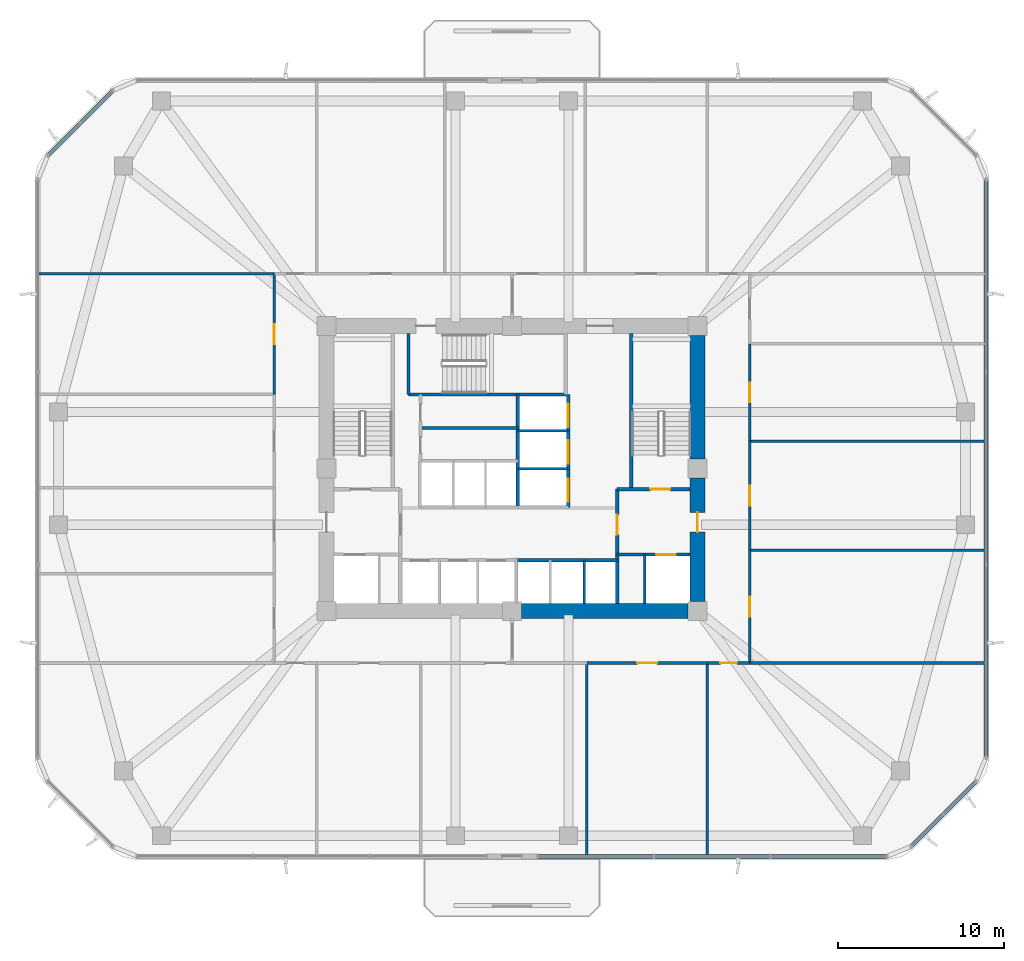
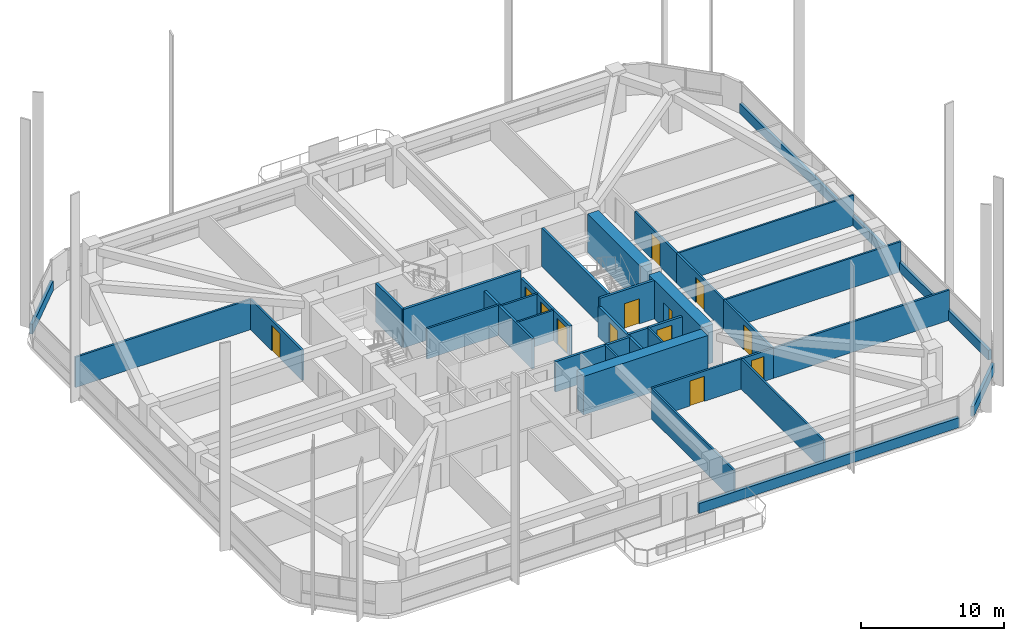
# One storey, part 10 of 17: 33 walls, 13 doors, 13 openings.
"""IFC4 building model written with IfcOpenShell, lengths in metres."""

from ifc_helpers import new_model, si_unit, derived_unit, direction, frame, frame_2d, origin, place, context, subcontext, project, spatial, rectangle, extrude, material, layer, layer_set, type_object, element, fill, save


model = new_model("IFC4")

# Units and contexts
model_context = context("Model", 3, precision=1e-05, world=origin(), true_north=direction((0.0, 1.0)))
body_context = subcontext(model_context, "Body", "Model", "MODEL_VIEW")
ifc_project = project(units=[si_unit("LENGTHUNIT", "METRE"), si_unit("AREAUNIT", "SQUARE_METRE"), si_unit("VOLUMEUNIT", "CUBIC_METRE"), si_unit("PLANEANGLEUNIT", "RADIAN"), si_unit("MASSUNIT", "GRAM", prefix="KILO"), derived_unit("THERMALTRANSMITTANCEUNIT", [(si_unit("POWERUNIT", "WATT"), 1), (si_unit("LENGTHUNIT", "METRE"), -2), (si_unit("THERMODYNAMICTEMPERATUREUNIT", "KELVIN"), -1)])], contexts=[model_context])

# Site, building, storey
site_placement = place(None, origin())
site = spatial("IfcSite", under=ifc_project, at=site_placement, CompositionType="ELEMENT")
building_placement = place(site_placement, origin())
building = spatial("IfcBuilding", under=site, at=building_placement, Name="Koralith Skygarden Medical Center", CompositionType="ELEMENT")
storey_placement = place(building_placement, frame((0.0, 0.0, 67.139892578125)))
storey = spatial("IfcBuildingStorey", under=building, at=storey_placement, Name="L17", CompositionType="ELEMENT", Elevation=67.139892578125)

# Walls
ifc_material_1 = material(Name="Gypsum Board Partition")
ifc_layer_1 = layer(ifc_material_1, 0.14990234375)
ifc_layer_set_1 = layer_set([ifc_layer_1], Name="Gypsum Board Partition")
wall_type_1 = type_object("IfcWallType", Name="Clinical Acoustic Partition 150", PredefinedType="PARTITIONING", material=ifc_layer_set_1)
for number, where, z_axis, x_axis, name in (
    (1, (41.527099609375, 14.14990234375, 0.0), (0.0, 0.0, 1.0), (0.0, -1.0, 0.0), "L17 Clinical Acoustic Partition 150 W-PART-L17-S-03"),
    (2, (48.800048828125, 14.14990234375, 0.0), (0.0, 0.0, 1.0), (0.0, -1.0, 0.0), "L17 Clinical Acoustic Partition 150 W-PART-L17-S-04"),
):
    element("IfcWall", number, at=place(storey_placement, frame(where, z_axis=z_axis, x_axis=x_axis)), inside=storey, type_object=wall_type_1, Name=name, PredefinedType="PARTITIONING", context=body_context, shape_type="SweptSolid", body=[
        extrude(rectangle(XDim=11.64990234375, YDim=0.14990234375, at=frame_2d((5.824951171875, 0.0))), origin(), (0.0, 0.0, 1.0), 2.590087890625),
    ])
for number, where, z_axis, x_axis, name in (
    (3, (51.35009765625, 20.965087890625, 0.0), (0.0, 0.0, 1.0), (1.0, 0.0, 0.0), "L17 Clinical Acoustic Partition 150 W-PART-L17-E-01"),
    (4, (51.35009765625, 27.544921875, 0.0), (0.0, 0.0, 1.0), (1.0, 0.0, 0.0), "L17 Clinical Acoustic Partition 150 W-PART-L17-E-02"),
):
    element("IfcWall", number, at=place(storey_placement, frame(where, z_axis=z_axis, x_axis=x_axis)), inside=storey, type_object=wall_type_1, Name=name, PredefinedType="PARTITIONING", context=body_context, shape_type="SweptSolid", body=[
        extrude(rectangle(XDim=14.25, YDim=0.14990234375, at=frame_2d((7.125, 0.0))), origin(), (0.0, 0.0, 1.0), 2.590087890625),
    ])
ifc_layer_2 = layer(ifc_material_1, 0.1650390625)
ifc_layer_set_2 = layer_set([ifc_layer_2], Name="Gypsum Board Partition")
wall_type_2 = type_object("IfcWallType", Name="Clinical Corridor Partition 165", PredefinedType="PARTITIONING", material=ifc_layer_set_2)
for number, where, z_axis, x_axis, name in (
    (5, (8.39990234375, 37.64990234375, 0.0), (0.0, 0.0, 1.0), (1.0, 0.0, 0.0), "L17 Clinical Corridor Partition 165 W-WB-L17-NW"),
    (6, (51.35009765625, 14.14990234375, 0.0), (0.0, 0.0, 1.0), (1.0, 0.0, 0.0), "L17 Clinical Corridor Partition 165 W-WB-L17-SE"),
):
    element("IfcWall", number, at=place(storey_placement, frame(where, z_axis=z_axis, x_axis=x_axis)), inside=storey, type_object=wall_type_2, Name=name, PredefinedType="PARTITIONING", context=body_context, shape_type="SweptSolid", body=[
        extrude(rectangle(XDim=14.25, YDim=0.1650390625, at=frame_2d((7.125, 0.0))), origin(), (0.0, 0.0, 1.0), 2.590087890625),
    ])

# Wall, opening, door
wall_1_placement = place(storey_placement, frame((41.527099609375, 14.14990234375, 0.0), z_axis=(0.0, 0.0, 1.0), x_axis=(1.0, 0.0, 0.0)))
wall_1 = element("IfcWall", 7, at=wall_1_placement, inside=storey, type_object=wall_type_2, Name="L17 Clinical Corridor Partition 165 W-CORR-L17-S-04", PredefinedType="PARTITIONING", context=body_context, shape_type="SweptSolid", body=[
    extrude(rectangle(XDim=7.27294921875, YDim=0.1650390625, at=frame_2d((3.636474609375, 0.0))), origin(), (0.0, 0.0, 1.0), 2.590087890625),
])
opening_1_placement = place(wall_1_placement, frame((3.035888671875, 0.0, 0.0)))
opening_1 = element("IfcOpeningElement", 8, at=opening_1_placement, cuts=wall_1, Name="Opening D-CLN", PredefinedType="OPENING", context=body_context, shape_type="SweptSolid", body=[
    extrude(rectangle(XDim=1.199951171875, YDim=2.14990234375, at=frame_2d((0.60009765625, 1.074951171875))), frame((0.0, 0.092529296875, 0.0), z_axis=(0.0, -1.0, 0.0), x_axis=(1.0, 0.0, 0.0)), (0.0, 0.0, 1.0), 0.18505859375),
])
ifc_material_2 = material(Name="Aluminium 6063-T6", Category="aluminium")
door_type_1 = type_object("IfcDoorType", Name="Clinical Corridor Door D-CLN 1200", OperationType="NOTDEFINED", PredefinedType="DOOR", material=ifc_material_2)
door_1_placement = place(opening_1_placement, frame((1.199951171875, 0.0, 0.0), z_axis=(0.0, 0.0, 1.0), x_axis=(-1.0, 0.0, 0.0)))
door_1 = element("IfcDoor", 9, at=door_1_placement, inside=storey, type_object=door_type_1, Name="L17 Neuropsychology Testing Office 09 Door", OperationType="SINGLE_SWING_RIGHT", OverallHeight=2.14990234375, OverallWidth=1.199951171875, PredefinedType="DOOR", context=body_context, shape_type="SweptSolid", body=[
    extrude(rectangle(XDim=1.199951171875, YDim=2.14990234375, at=frame_2d((0.60009765625, 1.074951171875))), frame((0.0, 0.02490234375, 0.0), z_axis=(0.0, -1.0, 0.0), x_axis=(1.0, 0.0, 0.0)), (0.0, 0.0, 1.0), 0.050048828125),
])
fill(opening_1, door_1)

wall_2_placement = place(storey_placement, frame((48.800048828125, 14.14990234375, 0.0), z_axis=(0.0, 0.0, 1.0), x_axis=(1.0, 0.0, 0.0)))
wall_2 = element("IfcWall", 10, at=wall_2_placement, inside=storey, type_object=wall_type_2, Name="L17 Clinical Corridor Partition 165 W-CORR-L17-S-05", PredefinedType="PARTITIONING", context=body_context, shape_type="SweptSolid", body=[
    extrude(rectangle(XDim=2.550048828125, YDim=0.1650390625, at=frame_2d((1.27490234375, 0.0))), origin(), (0.0, 0.0, 1.0), 2.590087890625),
])
opening_2_placement = place(wall_2_placement, frame((0.77490234375, 0.0, 0.0)))
opening_2 = element("IfcOpeningElement", 11, at=opening_2_placement, cuts=wall_2, Name="Opening D-SUP", PredefinedType="OPENING", context=body_context, shape_type="SweptSolid", body=[
    extrude(rectangle(XDim=1.0, YDim=2.14990234375, at=frame_2d((0.5, 1.074951171875))), frame((0.0, 0.092529296875, 0.0), z_axis=(0.0, -1.0, 0.0), x_axis=(1.0, 0.0, 0.0)), (0.0, 0.0, 1.0), 0.18505859375),
])
door_type_2 = type_object("IfcDoorType", Name="Clinical Support Door D-SUP 1000", OperationType="NOTDEFINED", PredefinedType="DOOR", material=ifc_material_2)
door_2_placement = place(opening_2_placement, frame((1.0, 0.0, 0.0), z_axis=(0.0, 0.0, 1.0), x_axis=(-1.0, 0.0, 0.0)))
door_2 = element("IfcDoor", 12, at=door_2_placement, inside=storey, type_object=door_type_2, Name="L17 Medical Device Alcove Store 10 Door", OperationType="SINGLE_SWING_LEFT", OverallHeight=2.14990234375, OverallWidth=1.0, PredefinedType="DOOR", context=body_context, shape_type="SweptSolid", body=[
    extrude(rectangle(XDim=1.0, YDim=2.14990234375, at=frame_2d((0.5, 1.074951171875))), frame((0.0, 0.02490234375, 0.0), z_axis=(0.0, -1.0, 0.0), x_axis=(1.0, 0.0, 0.0)), (0.0, 0.0, 1.0), 0.050048828125),
])
fill(opening_2, door_2)

wall_3_placement = place(storey_placement, frame((22.64990234375, 30.364990234375, 0.0), z_axis=(0.0, 0.0, 1.0), x_axis=(0.0, 1.0, 0.0)))
wall_3 = element("IfcWall", 13, at=wall_3_placement, inside=storey, type_object=wall_type_2, Name="L17 Clinical Corridor Partition 165 W-CORR-L17-W-04", PredefinedType="PARTITIONING", context=body_context, shape_type="SweptSolid", body=[
    extrude(rectangle(XDim=7.284912109375, YDim=0.1650390625, at=frame_2d((3.642578125, 0.0))), origin(), (0.0, 0.0, 1.0), 2.590087890625),
])
opening_3_placement = place(wall_3_placement, frame((3.0419921875, 0.0, 0.0)))
opening_3 = element("IfcOpeningElement", 14, at=opening_3_placement, cuts=wall_3, Name="Opening D-CLN", PredefinedType="OPENING", context=body_context, shape_type="SweptSolid", body=[
    extrude(rectangle(XDim=1.199951171875, YDim=2.14990234375, at=frame_2d((0.60009765625, 1.074951171875))), frame((0.0, 0.092529296875, 0.0), z_axis=(0.0, -1.0, 0.0), x_axis=(1.0, 0.0, 0.0)), (0.0, 0.0, 1.0), 0.18505859375),
])
door_3_placement = place(opening_3_placement, frame((1.199951171875, 0.0, 0.0), z_axis=(0.0, 0.0, 1.0), x_axis=(-1.0, 0.0, 0.0)))
door_3 = element("IfcDoor", 15, at=door_3_placement, inside=storey, type_object=door_type_1, Name="L17 Medical Device Alcove Store 14 Door", OperationType="SINGLE_SWING_LEFT", OverallHeight=2.14990234375, OverallWidth=1.199951171875, PredefinedType="DOOR", context=body_context, shape_type="SweptSolid", body=[
    extrude(rectangle(XDim=1.199951171875, YDim=2.14990234375, at=frame_2d((0.60009765625, 1.074951171875))), frame((0.0, 0.02490234375, 0.0), z_axis=(0.0, -1.0, 0.0), x_axis=(1.0, 0.0, 0.0)), (0.0, 0.0, 1.0), 0.050048828125),
])
fill(opening_3, door_3)

wall_4_placement = place(storey_placement, frame((51.35009765625, 14.14990234375, 0.0), z_axis=(0.0, 0.0, 1.0), x_axis=(0.0, 1.0, 0.0)))
wall_4 = element("IfcWall", 16, at=wall_4_placement, inside=storey, type_object=wall_type_2, Name="L17 Clinical Corridor Partition 165 W-CORR-L17-E-01", PredefinedType="PARTITIONING", context=body_context, shape_type="SweptSolid", body=[
    extrude(rectangle(XDim=6.815185546875, YDim=0.1650390625, at=frame_2d((3.40771484375, 0.0))), origin(), (0.0, 0.0, 1.0), 2.590087890625),
])
opening_4_placement = place(wall_4_placement, frame((2.806884765625, 0.0, 0.0)))
opening_4 = element("IfcOpeningElement", 17, at=opening_4_placement, cuts=wall_4, Name="Opening D-CLN", PredefinedType="OPENING", context=body_context, shape_type="SweptSolid", body=[
    extrude(rectangle(XDim=1.199951171875, YDim=2.14990234375, at=frame_2d((0.60009765625, 1.074951171875))), frame((0.0, 0.092529296875, 0.0), z_axis=(0.0, -1.0, 0.0), x_axis=(1.0, 0.0, 0.0)), (0.0, 0.0, 1.0), 0.18505859375),
])
door_4_placement = place(opening_4_placement, origin())
door_4 = element("IfcDoor", 18, at=door_4_placement, inside=storey, type_object=door_type_1, Name="L17 Neurology Consultation Office 15 Door", OperationType="SINGLE_SWING_RIGHT", OverallHeight=2.14990234375, OverallWidth=1.199951171875, PredefinedType="DOOR", context=body_context, shape_type="SweptSolid", body=[
    extrude(rectangle(XDim=1.199951171875, YDim=2.14990234375, at=frame_2d((0.60009765625, 1.074951171875))), frame((0.0, 0.02490234375, 0.0), z_axis=(0.0, -1.0, 0.0), x_axis=(1.0, 0.0, 0.0)), (0.0, 0.0, 1.0), 0.050048828125),
])
fill(opening_4, door_4)

wall_5_placement = place(storey_placement, frame((51.35009765625, 20.965087890625, 0.0), z_axis=(0.0, 0.0, 1.0), x_axis=(0.0, 1.0, 0.0)))
wall_5 = element("IfcWall", 19, at=wall_5_placement, inside=storey, type_object=wall_type_2, Name="L17 Clinical Corridor Partition 165 W-CORR-L17-E-02", PredefinedType="PARTITIONING", context=body_context, shape_type="SweptSolid", body=[
    extrude(rectangle(XDim=6.579833984375, YDim=0.1650390625, at=frame_2d((3.2900390625, 0.0))), origin(), (0.0, 0.0, 1.0), 2.590087890625),
])
opening_5_placement = place(wall_5_placement, frame((2.68994140625, 0.0, 0.0)))
opening_5 = element("IfcOpeningElement", 20, at=opening_5_placement, cuts=wall_5, Name="Opening D-CLN", PredefinedType="OPENING", context=body_context, shape_type="SweptSolid", body=[
    extrude(rectangle(XDim=1.199951171875, YDim=2.14990234375, at=frame_2d((0.60009765625, 1.074951171875))), frame((0.0, 0.092529296875, 0.0), z_axis=(0.0, -1.0, 0.0), x_axis=(1.0, 0.0, 0.0)), (0.0, 0.0, 1.0), 0.18505859375),
])
door_5_placement = place(opening_5_placement, origin())
door_5 = element("IfcDoor", 21, at=door_5_placement, inside=storey, type_object=door_type_1, Name="L17 Electromyography Reading Office 16 Door", OperationType="SINGLE_SWING_LEFT", OverallHeight=2.14990234375, OverallWidth=1.199951171875, PredefinedType="DOOR", context=body_context, shape_type="SweptSolid", body=[
    extrude(rectangle(XDim=1.199951171875, YDim=2.14990234375, at=frame_2d((0.60009765625, 1.074951171875))), frame((0.0, 0.02490234375, 0.0), z_axis=(0.0, -1.0, 0.0), x_axis=(1.0, 0.0, 0.0)), (0.0, 0.0, 1.0), 0.050048828125),
])
fill(opening_5, door_5)

wall_6_placement = place(storey_placement, frame((51.35009765625, 27.544921875, 0.0), z_axis=(0.0, 0.0, 1.0), x_axis=(0.0, 1.0, 0.0)))
wall_6 = element("IfcWall", 22, at=wall_6_placement, inside=storey, type_object=wall_type_2, Name="L17 Clinical Corridor Partition 165 W-CORR-L17-E-03", PredefinedType="PARTITIONING", context=body_context, shape_type="SweptSolid", body=[
    extrude(rectangle(XDim=5.875, YDim=0.1650390625, at=frame_2d((2.9375, 0.0))), origin(), (0.0, 0.0, 1.0), 2.590087890625),
])
opening_6_placement = place(wall_6_placement, frame((2.3369140625, 0.0, 0.0)))
opening_6 = element("IfcOpeningElement", 23, at=opening_6_placement, cuts=wall_6, Name="Opening D-CLN", PredefinedType="OPENING", context=body_context, shape_type="SweptSolid", body=[
    extrude(rectangle(XDim=1.199951171875, YDim=2.14990234375, at=frame_2d((0.60009765625, 1.074951171875))), frame((0.0, 0.092529296875, 0.0), z_axis=(0.0, -1.0, 0.0), x_axis=(1.0, 0.0, 0.0)), (0.0, 0.0, 1.0), 0.18505859375),
])
door_6_placement = place(opening_6_placement, origin())
door_6 = element("IfcDoor", 24, at=door_6_placement, inside=storey, type_object=door_type_1, Name="L17 Neuropsychology Testing Office 17 Door", OperationType="SINGLE_SWING_RIGHT", OverallHeight=2.14990234375, OverallWidth=1.199951171875, PredefinedType="DOOR", context=body_context, shape_type="SweptSolid", body=[
    extrude(rectangle(XDim=1.199951171875, YDim=2.14990234375, at=frame_2d((0.60009765625, 1.074951171875))), frame((0.0, 0.02490234375, 0.0), z_axis=(0.0, -1.0, 0.0), x_axis=(1.0, 0.0, 0.0)), (0.0, 0.0, 1.0), 0.050048828125),
])
fill(opening_6, door_6)

ifc_layer_3 = layer(ifc_material_1, 0.199951171875)
ifc_layer_set_3 = layer_set([ifc_layer_3], Name="Gypsum Board Partition")
wall_type_3 = type_object("IfcWallType", Name="Fire Shaft Wall 200", PredefinedType="SOLIDWALL", material=ifc_layer_set_3)
wall_7_placement = place(storey_placement, frame((43.35009765625, 20.699951171875, 0.0), z_axis=(0.0, 0.0, 1.0), x_axis=(1.0, 0.0, 0.0)))
wall_7 = element("IfcWall", 25, at=wall_7_placement, inside=storey, type_object=wall_type_3, Name="L17 Fire Shaft Wall 200 W-CORE-L17-FF2-N", PredefinedType="SOLIDWALL", context=body_context, shape_type="SweptSolid", body=[
    extrude(rectangle(XDim=4.39990234375, YDim=0.199951171875, at=frame_2d((2.199951171875, 0.0))), origin(), (0.0, 0.0, 1.0), 2.590087890625),
])
opening_7_placement = place(wall_7_placement, frame((2.35009765625, 0.0, 0.0)))
opening_7 = element("IfcOpeningElement", 26, at=opening_7_placement, cuts=wall_7, Name="Opening LD-FF", PredefinedType="OPENING", context=body_context, shape_type="SweptSolid", body=[
    extrude(rectangle(XDim=1.199951171875, YDim=2.14990234375, at=frame_2d((0.60009765625, 1.074951171875))), frame((0.0, 0.10986328125, 0.0), z_axis=(0.0, -1.0, 0.0), x_axis=(1.0, 0.0, 0.0)), (0.0, 0.0, 1.0), 0.219970703125),
])
ifc_material_3 = material(Name="Steel ASTM A500 Grade C", Category="steel")
door_type_3 = type_object("IfcDoorType", Name="Fire Lift Sliding Landing Door LD-FF 1200", OperationType="NOTDEFINED", PredefinedType="DOOR", material=ifc_material_3)
door_7_placement = place(opening_7_placement, origin())
door_7 = element("IfcDoor", 27, at=door_7_placement, inside=storey, type_object=door_type_3, Name="L17 Fire Service Elevator FF2 Landing Door", OperationType="SLIDING_TO_RIGHT", OverallHeight=2.14990234375, OverallWidth=1.199951171875, PredefinedType="DOOR", context=body_context, shape_type="SweptSolid", body=[
    extrude(rectangle(XDim=1.199951171875, YDim=2.14990234375, at=frame_2d((0.60009765625, 1.074951171875))), frame((0.0, 0.02490234375, 0.0), z_axis=(0.0, -1.0, 0.0), x_axis=(1.0, 0.0, 0.0)), (0.0, 0.0, 1.0), 0.050048828125),
])
fill(opening_7, door_7)

wall_8_placement = place(storey_placement, frame((43.35009765625, 17.75, 0.0), z_axis=(0.0, 0.0, 1.0), x_axis=(0.0, 1.0, 0.0)))
wall_8 = element("IfcWall", 28, at=wall_8_placement, inside=storey, type_object=wall_type_3, Name="L17 Fire Shaft Wall 200 W-CORE-L17-FSAEE-W", PredefinedType="SOLIDWALL", context=body_context, shape_type="SweptSolid", body=[
    extrude(rectangle(XDim=6.89990234375, YDim=0.199951171875, at=frame_2d((3.449951171875, 0.0))), origin(), (0.0, 0.0, 1.0), 2.590087890625),
])
opening_8_placement = place(wall_8_placement, frame((4.14990234375, 0.0, 0.0)))
opening_8 = element("IfcOpeningElement", 29, at=opening_8_placement, cuts=wall_8, Name="Opening D-ST60", PredefinedType="OPENING", context=body_context, shape_type="SweptSolid", body=[
    extrude(rectangle(XDim=1.199951171875, YDim=2.14990234375, at=frame_2d((0.60009765625, 1.074951171875))), frame((0.0, 0.10986328125, 0.0), z_axis=(0.0, -1.0, 0.0), x_axis=(1.0, 0.0, 0.0)), (0.0, 0.0, 1.0), 0.219970703125),
])
door_type_4 = type_object("IfcDoorType", Name="Smokeproof Stair Fire Door FD60S 1200", OperationType="NOTDEFINED", PredefinedType="DOOR", material=ifc_material_3)
door_8_placement = place(opening_8_placement, frame((1.199951171875, 0.0, 0.0), z_axis=(0.0, 0.0, 1.0), x_axis=(-1.0, 0.0, 0.0)))
door_8 = element("IfcDoor", 30, at=door_8_placement, inside=storey, type_object=door_type_4, Name="L17 East Firefighting Lobby Inner Fire Door", OperationType="SINGLE_SWING_RIGHT", OverallHeight=2.14990234375, OverallWidth=1.199951171875, PredefinedType="DOOR", context=body_context, shape_type="SweptSolid", body=[
    extrude(rectangle(XDim=1.199951171875, YDim=2.14990234375, at=frame_2d((0.60009765625, 1.074951171875))), frame((0.0, 0.02490234375, 0.0), z_axis=(0.0, -1.0, 0.0), x_axis=(1.0, 0.0, 0.0)), (0.0, 0.0, 1.0), 0.050048828125),
])
fill(opening_8, door_8)

# Walls
wall_9_placement = place(storey_placement, frame((37.25, 20.360107421875, 0.0), z_axis=(0.0, 0.0, 1.0), x_axis=(1.0, 0.0, 0.0)))
element("IfcWall", 31, at=wall_9_placement, inside=storey, type_object=wall_type_3, Name="L17 Fire Shaft Wall 200 W-CORE-L17-PM-N", PredefinedType="SOLIDWALL", context=body_context, shape_type="SweptSolid", body=[
    extrude(rectangle(XDim=6.10009765625, YDim=0.199951171875, at=frame_2d((3.050048828125, 0.0))), origin(), (0.0, 0.0, 1.0), 2.590087890625),
])
wall_10_placement = place(storey_placement, frame((37.35009765625, 23.5400390625, 0.0), z_axis=(0.0, 0.0, 1.0), x_axis=(0.0, 1.0, 0.0)))
element("IfcWall", 32, at=wall_10_placement, inside=storey, type_object=wall_type_3, Name="L17 Fire Shaft Wall 200 W-CORE-L17-SV-W", PredefinedType="SOLIDWALL", context=body_context, shape_type="SweptSolid", body=[
    extrude(rectangle(XDim=6.820068359375, YDim=0.199951171875, at=frame_2d((3.41015625, 0.0))), origin(), (0.0, 0.0, 1.0), 2.590087890625),
])

# Wall, openings, doors
wall_11_placement = place(storey_placement, frame((40.39990234375, 23.5400390625, 0.0), z_axis=(0.0, 0.0, 1.0), x_axis=(0.0, 1.0, 0.0)))
wall_11 = element("IfcWall", 33, at=wall_11_placement, inside=storey, type_object=wall_type_3, Name="L17 Fire Shaft Wall 200 W-CORE-L17-SV-E", PredefinedType="SOLIDWALL", context=body_context, shape_type="SweptSolid", body=[
    extrude(rectangle(XDim=6.820068359375, YDim=0.199951171875, at=frame_2d((3.41015625, 0.0))), origin(), (0.0, 0.0, 1.0), 2.590087890625),
])
opening_9_placement = place(wall_11_placement, frame((0.35009765625, 0.0, 0.0)))
opening_9 = element("IfcOpeningElement", 34, at=opening_9_placement, cuts=wall_11, Name="Opening LD-SV", PredefinedType="OPENING", context=body_context, shape_type="SweptSolid", body=[
    extrude(rectangle(XDim=1.39990234375, YDim=2.199951171875, at=frame_2d((0.699951171875, 1.10009765625))), frame((0.0, 0.10986328125, 0.0), z_axis=(0.0, -1.0, 0.0), x_axis=(1.0, 0.0, 0.0)), (0.0, 0.0, 1.0), 0.219970703125),
])
opening_10_placement = place(wall_11_placement, frame((2.64990234375, 0.0, 0.0)))
opening_10 = element("IfcOpeningElement", 35, at=opening_10_placement, cuts=wall_11, Name="Opening LD-SV", PredefinedType="OPENING", context=body_context, shape_type="SweptSolid", body=[
    extrude(rectangle(XDim=1.39990234375, YDim=2.199951171875, at=frame_2d((0.699951171875, 1.10009765625))), frame((0.0, 0.10986328125, 0.0), z_axis=(0.0, -1.0, 0.0), x_axis=(1.0, 0.0, 0.0)), (0.0, 0.0, 1.0), 0.219970703125),
])
opening_11_placement = place(wall_11_placement, frame((4.85009765625, 0.0, 0.0)))
opening_11 = element("IfcOpeningElement", 36, at=opening_11_placement, cuts=wall_11, Name="Opening LD-SV", PredefinedType="OPENING", context=body_context, shape_type="SweptSolid", body=[
    extrude(rectangle(XDim=1.39990234375, YDim=2.199951171875, at=frame_2d((0.699951171875, 1.10009765625))), frame((0.0, 0.10986328125, 0.0), z_axis=(0.0, -1.0, 0.0), x_axis=(1.0, 0.0, 0.0)), (0.0, 0.0, 1.0), 0.219970703125),
])
door_type_5 = type_object("IfcDoorType", Name="Bed Lift Sliding Landing Door LD-SV 1400", OperationType="NOTDEFINED", PredefinedType="DOOR", material=ifc_material_3)
door_9_placement = place(opening_9_placement, origin())
door_9 = element("IfcDoor", 37, at=door_9_placement, inside=storey, type_object=door_type_5, Name="L17 Bed Elevator BD1 Landing Door", OperationType="SLIDING_TO_LEFT", OverallHeight=2.199951171875, OverallWidth=1.39990234375, PredefinedType="DOOR", context=body_context, shape_type="SweptSolid", body=[
    extrude(rectangle(XDim=1.39990234375, YDim=2.199951171875, at=frame_2d((0.699951171875, 1.10009765625))), frame((0.0, 0.02490234375, 0.0), z_axis=(0.0, -1.0, 0.0), x_axis=(1.0, 0.0, 0.0)), (0.0, 0.0, 1.0), 0.050048828125),
])
fill(opening_9, door_9)
door_10_placement = place(opening_10_placement, origin())
door_10 = element("IfcDoor", 38, at=door_10_placement, inside=storey, type_object=door_type_5, Name="L17 Service Elevator BD2 Landing Door", OperationType="SLIDING_TO_LEFT", OverallHeight=2.199951171875, OverallWidth=1.39990234375, PredefinedType="DOOR", context=body_context, shape_type="SweptSolid", body=[
    extrude(rectangle(XDim=1.39990234375, YDim=2.199951171875, at=frame_2d((0.699951171875, 1.10009765625))), frame((0.0, 0.02490234375, 0.0), z_axis=(0.0, -1.0, 0.0), x_axis=(1.0, 0.0, 0.0)), (0.0, 0.0, 1.0), 0.050048828125),
])
fill(opening_10, door_10)
door_11_placement = place(opening_11_placement, origin())
door_11 = element("IfcDoor", 39, at=door_11_placement, inside=storey, type_object=door_type_5, Name="L17 Trauma Elevator TR1 Landing Door", OperationType="SLIDING_TO_RIGHT", OverallHeight=2.199951171875, OverallWidth=1.39990234375, PredefinedType="DOOR", context=body_context, shape_type="SweptSolid", body=[
    extrude(rectangle(XDim=1.39990234375, YDim=2.199951171875, at=frame_2d((0.699951171875, 1.10009765625))), frame((0.0, 0.02490234375, 0.0), z_axis=(0.0, -1.0, 0.0), x_axis=(1.0, 0.0, 0.0)), (0.0, 0.0, 1.0), 0.050048828125),
])
fill(opening_11, door_11)

# Walls
ifc_material_4 = material(Name="Warm Oolitic Limestone Cladding", Category="masonry")
ifc_layer_4 = layer(ifc_material_4, 0.239990234375)
ifc_layer_set_4 = layer_set([ifc_layer_4], Name="Warm Oolitic Limestone Cladding")
wall_type_4 = type_object("IfcWallType", Name="Limestone Spandrel Sill Backup Wall 240", PredefinedType="SOLIDWALL", material=ifc_layer_set_4)
wall_12_placement = place(storey_placement, frame((38.5400390625, 2.47998046875, 0.0), z_axis=(0.0, 0.0, 1.0), x_axis=(1.0, 0.0, 0.0)))
element("IfcWall", 40, at=wall_12_placement, inside=storey, type_object=wall_type_4, Name="L17 Sill Spandrel S-R", PredefinedType="SOLIDWALL", context=body_context, shape_type="SweptSolid", body=[
    extrude(rectangle(XDim=21.10498046875, YDim=0.239990234375, at=frame_2d((10.552490234375, 0.0))), origin(), (0.0, 0.0, 1.0), 0.85009765625),
])
wall_13_placement = place(storey_placement, frame((61.095947265625, 3.0810546875, 0.0), z_axis=(0.0, 0.0, 1.0), x_axis=(0.707128783731, 0.707084777957, 0.0)))
element("IfcWall", 41, at=wall_13_placement, inside=storey, type_object=wall_type_4, Name="L17 Sill Spandrel SE", PredefinedType="SOLIDWALL", context=body_context, shape_type="SweptSolid", body=[
    extrude(rectangle(XDim=5.5478515625, YDim=0.239990234375, at=frame_2d((2.77392578125, 0.0))), origin(), (0.0, 0.0, 1.0), 0.85009765625),
])
wall_14_placement = place(storey_placement, frame((65.6201171875, 8.455078125, 0.0), z_axis=(0.0, 0.0, 1.0), x_axis=(0.0, 1.0, 0.0)))
element("IfcWall", 42, at=wall_14_placement, inside=storey, type_object=wall_type_4, Name="L17 Sill Spandrel E", PredefinedType="SOLIDWALL", context=body_context, shape_type="SweptSolid", body=[
    extrude(rectangle(XDim=34.889892578125, YDim=0.239990234375, at=frame_2d((17.44482421875, 0.0))), origin(), (0.0, 0.0, 1.0), 0.85009765625),
])
wall_15_placement = place(storey_placement, frame((12.904052734375, 48.718994140625, 0.0), z_axis=(0.0, 0.0, 1.0), x_axis=(-0.707106781187, -0.707106781187, 0.0)))
element("IfcWall", 43, at=wall_15_placement, inside=storey, type_object=wall_type_4, Name="L17 Sill Spandrel NW", PredefinedType="SOLIDWALL", context=body_context, shape_type="SweptSolid", body=[
    extrude(rectangle(XDim=5.548095703125, YDim=0.239990234375, at=frame_2d((2.77392578125, 0.0))), origin(), (0.0, 0.0, 1.0), 0.85009765625),
])
ifc_material_5 = material(Name="Concrete C70/85", Category="concrete")
ifc_layer_5 = layer(ifc_material_5, 0.89990234375)
ifc_layer_set_5 = layer_set([ifc_layer_5], Name="Concrete C70/85")
wall_type_5 = type_object("IfcWallType", Name="Lower Core Shear Wall 900", PredefinedType="SHEAR", material=ifc_layer_set_5)
wall_16_placement = place(storey_placement, frame((37.56494140625, 17.300048828125, 0.0), z_axis=(0.0, 0.0, 1.0), x_axis=(1.0, 0.0, 0.0)))
element("IfcWall", 44, at=wall_16_placement, inside=storey, type_object=wall_type_5, Name="L17 Core Shear Wall Segment 2", PredefinedType="SHEAR", context=body_context, shape_type="SweptSolid", body=[
    extrude(rectangle(XDim=10.070068359375, YDim=0.89990234375, at=frame_2d((5.03515625, 0.0))), origin(), (0.0, 0.0, 1.0), 3.300048828125),
])

# Wall, opening, door
wall_17_placement = place(storey_placement, frame((48.199951171875, 17.864990234375, 0.0), z_axis=(0.0, 0.0, 1.0), x_axis=(0.0, 1.0, 0.0)))
wall_17 = element("IfcWall", 45, at=wall_17_placement, inside=storey, type_object=wall_type_5, Name="L17 Core Shear Wall Segment 3", PredefinedType="SHEAR", context=body_context, shape_type="SweptSolid", body=[
    extrude(rectangle(XDim=7.469970703125, YDim=0.89990234375, at=frame_2d((3.73486328125, 0.0))), origin(), (0.0, 0.0, 1.0), 3.300048828125),
])
opening_12_placement = place(wall_17_placement, frame((4.18505859375, 0.0, 0.0)))
opening_12 = element("IfcOpeningElement", 46, at=opening_12_placement, cuts=wall_17, Name="Opening D-ST60", PredefinedType="OPENING", context=body_context, shape_type="SweptSolid", body=[
    extrude(rectangle(XDim=1.199951171875, YDim=2.14990234375, at=frame_2d((0.60009765625, 1.074951171875))), frame((0.0, 0.4599609375, 0.0), z_axis=(0.0, -1.0, 0.0), x_axis=(1.0, 0.0, 0.0)), (0.0, 0.0, 1.0), 0.919921875),
])
door_12_placement = place(opening_12_placement, frame((1.199951171875, 0.0, 0.0), z_axis=(0.0, 0.0, 1.0), x_axis=(-1.0, 0.0, 0.0)))
door_12 = element("IfcDoor", 47, at=door_12_placement, inside=storey, type_object=door_type_4, Name="L17 East Corridor to Firefighting Lobby Door", OperationType="SINGLE_SWING_RIGHT", OverallHeight=2.14990234375, OverallWidth=1.199951171875, PredefinedType="DOOR", context=body_context, shape_type="SweptSolid", body=[
    extrude(rectangle(XDim=1.199951171875, YDim=2.14990234375, at=frame_2d((0.60009765625, 1.074951171875))), frame((0.0, 0.02490234375, 0.0), z_axis=(0.0, -1.0, 0.0), x_axis=(1.0, 0.0, 0.0)), (0.0, 0.0, 1.0), 0.050048828125),
])
fill(opening_12, door_12)

# Walls
wall_18_placement = place(storey_placement, frame((48.199951171875, 26.465087890625, 0.0), z_axis=(0.0, 0.0, 1.0), x_axis=(0.0, 1.0, 0.0)))
element("IfcWall", 48, at=wall_18_placement, inside=storey, type_object=wall_type_5, Name="L17 Core Shear Wall Segment 4", PredefinedType="SHEAR", context=body_context, shape_type="SweptSolid", body=[
    extrude(rectangle(XDim=7.469970703125, YDim=0.89990234375, at=frame_2d((3.73486328125, 0.0))), origin(), (0.0, 0.0, 1.0), 3.300048828125),
])
ifc_layer_6 = layer(ifc_material_1, 0.1650390625)
ifc_layer_set_6 = layer_set([ifc_layer_6], Name="Gypsum Board Partition")
wall_type_6 = type_object("IfcWallType", Name="Plumbing Wet Wall 165", PredefinedType="PLUMBINGWALL", material=ifc_layer_set_6)
wall_19_placement = place(storey_placement, frame((31.47998046875, 28.340087890625, 0.0), z_axis=(0.0, 0.0, 1.0), x_axis=(1.0, 0.0, 0.0)))
element("IfcWall", 49, at=wall_19_placement, inside=storey, type_object=wall_type_6, Name="L17 Plumbing Wet Wall 165 W-CORE-L17-FLEX-H0", PredefinedType="PLUMBINGWALL", context=body_context, shape_type="SweptSolid", body=[
    extrude(rectangle(XDim=5.8701171875, YDim=0.1650390625, at=frame_2d((2.93505859375, 0.0))), origin(), (0.0, 0.0, 1.0), 2.590087890625),
])
ifc_layer_7 = layer(ifc_material_1, 0.14990234375)
ifc_layer_set_7 = layer_set([ifc_layer_7], Name="Gypsum Board Partition")
wall_type_7 = type_object("IfcWallType", Name="Shaft Partition Wall 150", PredefinedType="PARTITIONING", material=ifc_layer_set_7)
wall_20_placement = place(storey_placement, frame((45.02001953125, 17.75, 0.0), z_axis=(0.0, 0.0, 1.0), x_axis=(0.0, 1.0, 0.0)))
element("IfcWall", 50, at=wall_20_placement, inside=storey, type_object=wall_type_7, Name="L17 Shaft Partition Wall 150 W-CORE-L17-RSRE-DIV", PredefinedType="PARTITIONING", context=body_context, shape_type="SweptSolid", body=[
    extrude(rectangle(XDim=2.949951171875, YDim=0.14990234375, at=frame_2d((1.47509765625, 0.0))), origin(), (0.0, 0.0, 1.0), 2.590087890625),
])
wall_21_placement = place(storey_placement, frame((41.3701171875, 17.75, 0.0), z_axis=(0.0, 0.0, 1.0), x_axis=(0.0, 1.0, 0.0)))
element("IfcWall", 51, at=wall_21_placement, inside=storey, type_object=wall_type_7, Name="L17 Shaft Partition Wall 150 W-CORE-L17-PM-D2", PredefinedType="PARTITIONING", context=body_context, shape_type="SweptSolid", body=[
    extrude(rectangle(XDim=2.610107421875, YDim=0.14990234375, at=frame_2d((1.30517578125, 0.0))), origin(), (0.0, 0.0, 1.0), 2.590087890625),
])
for number, where, z_axis, x_axis, name in (
    (52, (37.3701171875, 25.8701171875, 0.0), (0.0, 0.0, 1.0), (1.0, 0.0, 0.0), "L17 Shaft Partition Wall 150 W-CORE-L17-SV-D1"),
    (53, (37.3701171875, 28.169921875, 0.0), (0.0, 0.0, 1.0), (1.0, 0.0, 0.0), "L17 Shaft Partition Wall 150 W-CORE-L17-SV-D2"),
):
    element("IfcWall", number, at=place(storey_placement, frame(where, z_axis=z_axis, x_axis=x_axis)), inside=storey, type_object=wall_type_7, Name=name, PredefinedType="PARTITIONING", context=body_context, shape_type="SweptSolid", body=[
        extrude(rectangle(XDim=3.009765625, YDim=0.14990234375, at=frame_2d((1.5048828125, 0.0))), origin(), (0.0, 0.0, 1.0), 2.590087890625),
    ])
ifc_material_6 = material(Name="Concrete C45/55", Category="concrete")
ifc_layer_8 = layer(ifc_material_6, 0.199951171875)
ifc_layer_set_8 = layer_set([ifc_layer_8], Name="Concrete C45/55")
wall_type_8 = type_object("IfcWallType", Name="Structural Stair Shaft Wall 200", PredefinedType="SHEAR", material=ifc_layer_set_8)
wall_22_placement = place(storey_placement, frame((44.199951171875, 24.64990234375, 0.0), z_axis=(0.0, 0.0, 1.0), x_axis=(0.0, 1.0, 0.0)))
element("IfcWall", 54, at=wall_22_placement, inside=storey, type_object=wall_type_8, Name="L17 Structural Stair Shaft Wall 200 W-CORE-L17-ST2-W", PredefinedType="SHEAR", context=body_context, shape_type="SweptSolid", body=[
    extrude(rectangle(XDim=9.400146484375, YDim=0.199951171875, at=frame_2d((4.7001953125, 0.0))), origin(), (0.0, 0.0, 1.0), 3.300048828125),
])

# Wall, opening, door
wall_23_placement = place(storey_placement, frame((43.35009765625, 24.64990234375, 0.0), z_axis=(0.0, 0.0, 1.0), x_axis=(1.0, 0.0, 0.0)))
wall_23 = element("IfcWall", 55, at=wall_23_placement, inside=storey, type_object=wall_type_8, Name="L17 Structural Stair Shaft Wall 200 W-CORE-L17-ST2-S", PredefinedType="SHEAR", context=body_context, shape_type="SweptSolid", body=[
    extrude(rectangle(XDim=4.39990234375, YDim=0.199951171875, at=frame_2d((2.199951171875, 0.0))), origin(), (0.0, 0.0, 1.0), 3.300048828125),
])
opening_13_placement = place(wall_23_placement, frame((2.0, 0.0, 0.0)))
opening_13 = element("IfcOpeningElement", 56, at=opening_13_placement, cuts=wall_23, Name="Opening D-ST60", PredefinedType="OPENING", context=body_context, shape_type="SweptSolid", body=[
    extrude(rectangle(XDim=1.199951171875, YDim=2.14990234375, at=frame_2d((0.60009765625, 1.074951171875))), frame((0.0, 0.10986328125, 0.0), z_axis=(0.0, -1.0, 0.0), x_axis=(1.0, 0.0, 0.0)), (0.0, 0.0, 1.0), 0.219970703125),
])
door_13_placement = place(opening_13_placement, origin())
door_13 = element("IfcDoor", 57, at=door_13_placement, inside=storey, type_object=door_type_4, Name="L17 Exit Stair ST2 Fire Door", OperationType="SINGLE_SWING_RIGHT", OverallHeight=2.14990234375, OverallWidth=1.199951171875, PredefinedType="DOOR", context=body_context, shape_type="SweptSolid", body=[
    extrude(rectangle(XDim=1.199951171875, YDim=2.14990234375, at=frame_2d((0.60009765625, 1.074951171875))), frame((0.0, 0.02490234375, 0.0), z_axis=(0.0, -1.0, 0.0), x_axis=(1.0, 0.0, 0.0)), (0.0, 0.0, 1.0), 0.050048828125),
])
fill(opening_13, door_13)

# Walls
wall_24_placement = place(storey_placement, frame((30.75, 30.360107421875, 0.0), z_axis=(0.0, 0.0, 1.0), x_axis=(1.0, 0.0, 0.0)))
element("IfcWall", 58, at=wall_24_placement, inside=storey, type_object=wall_type_8, Name="L17 Structural Stair Shaft Wall 200 W-CORE-L17-ST3-S", PredefinedType="SHEAR", context=body_context, shape_type="SweptSolid", body=[
    extrude(rectangle(XDim=9.5, YDim=0.199951171875, at=frame_2d((4.75, 0.0))), origin(), (0.0, 0.0, 1.0), 3.300048828125),
])
wall_25_placement = place(storey_placement, frame((30.75, 30.360107421875, 0.0), z_axis=(0.0, 0.0, 1.0), x_axis=(0.0, 1.0, 0.0)))
element("IfcWall", 59, at=wall_25_placement, inside=storey, type_object=wall_type_8, Name="L17 Structural Stair Shaft Wall 200 W-CORE-L17-ST3-W", PredefinedType="SHEAR", context=body_context, shape_type="SweptSolid", body=[
    extrude(rectangle(XDim=3.68994140625, YDim=0.199951171875, at=frame_2d((1.844970703125, 0.0))), origin(), (0.0, 0.0, 1.0), 3.300048828125),
])

save(model, "model.ifc")
